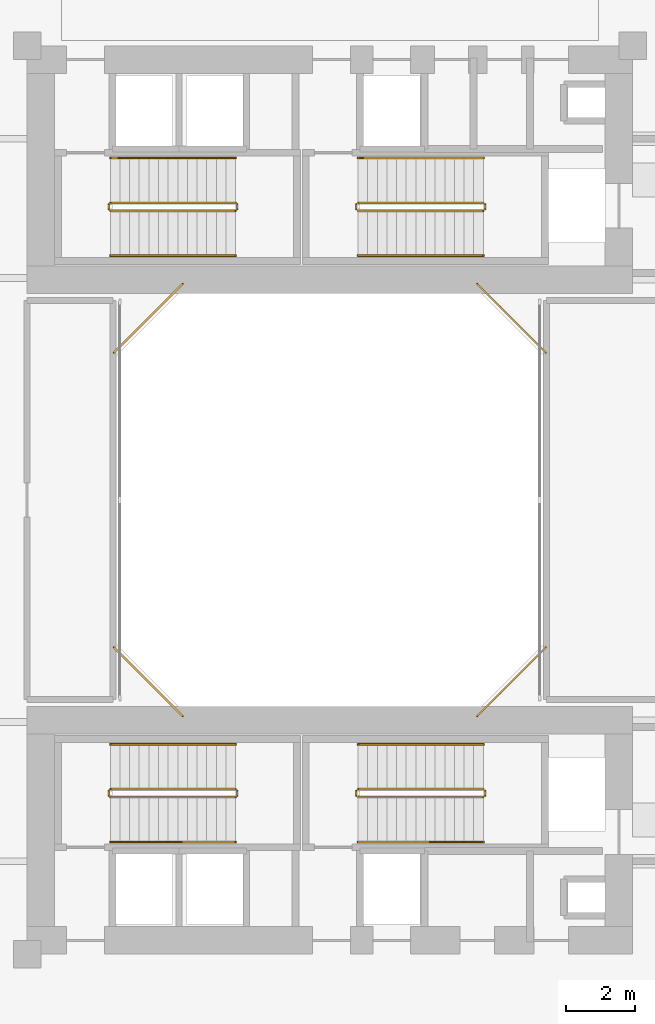
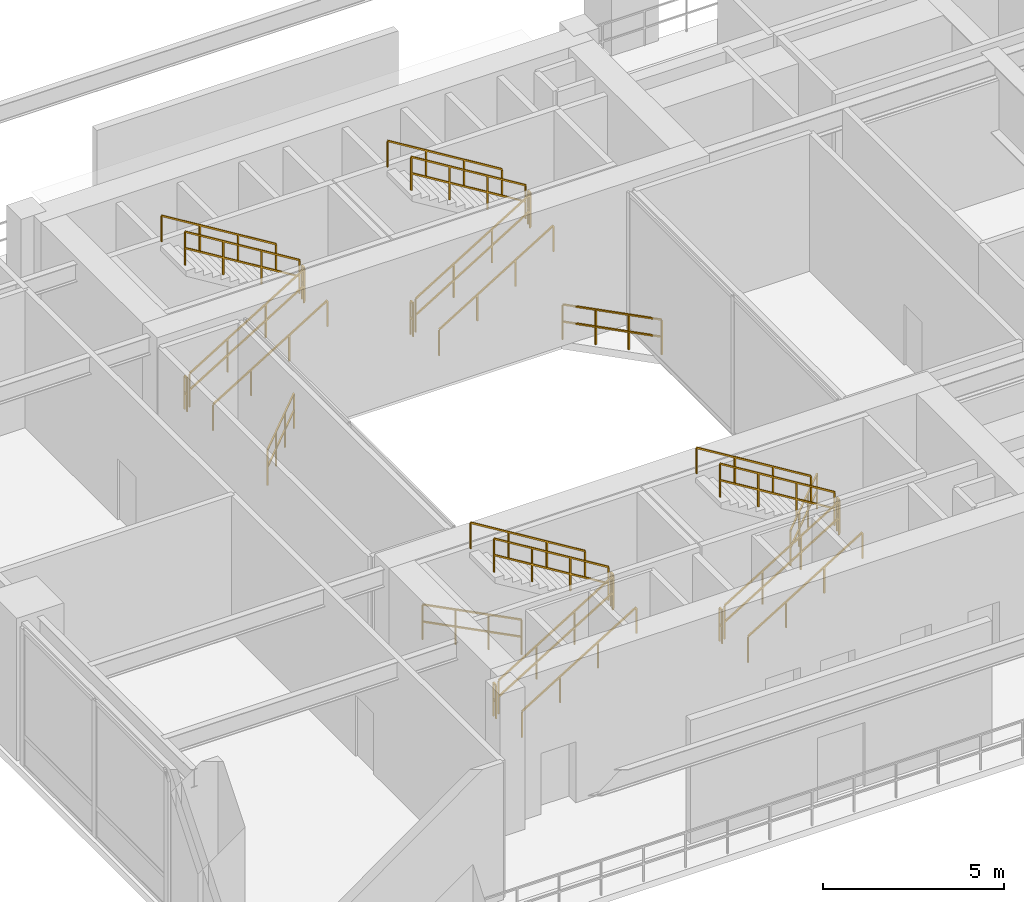
# One storey, part 16 of 19: 28 railings.
"""IFC4 building model written with IfcOpenShell, lengths in metres."""

import ifcopenshell
import ifcopenshell.guid

model = None  # the IFC model being written
_history = None  # IfcOwnerHistory: only IFC2X3 demands one
_inside = {}  # id of a spatial element -> (the spatial element, [elements in it])
_under = {}  # id of a project, library or spatial element -> (it, [spatial elements below it])
_declared = {}  # id of a project -> (the project, [libraries it declares])
_typed = {}  # id of a type object -> (the type object, [elements of that type])
_made_of = {}  # id of a material, layer set ... -> (it, [elements and type objects made of it])


def new_model(schema):
    """Start an empty IFC model of exactly this schema.

    Asked for "IFC4X3", IfcOpenShell would pick the latest addendum, in which some entities
    have other attributes; the version numbers below select the first issue.
    IFC2X3 requires an IfcOwnerHistory on every rooted entity: one is made here for all.
    """
    global model, _history
    if schema == "IFC4X3":
        model = ifcopenshell.file(schema_version=(4, 3, 0, 0))
    else:
        model = ifcopenshell.file(schema=schema)
    _inside.clear()
    _under.clear()
    _declared.clear()
    _typed.clear()
    _made_of.clear()
    _history = None
    if model.schema == "IFC2X3":
        org = make("IfcOrganization", Name="unknown")
        user = make(
            "IfcPersonAndOrganization",
            ThePerson=make("IfcPerson", FamilyName="unknown"),
            TheOrganization=org,
        )
        app = make(
            "IfcApplication",
            ApplicationDeveloper=org,
            Version="unknown",
            ApplicationFullName="unknown",
            ApplicationIdentifier="unknown",
        )
        _history = make(
            "IfcOwnerHistory",
            OwningUser=user,
            OwningApplication=app,
            ChangeAction="ADDED",
            CreationDate=0,
        )
    return model


def make(cls, **values):
    """One entity of the class cls with the attributes given. An attribute that is None is left unset."""
    return model.create_entity(
        cls, **{name: value for name, value in values.items() if value is not None}
    )


def rooted(cls, **values):
    """An entity with a GlobalId (a new one), such as an element, a storey or a relation."""
    return make(cls, GlobalId=ifcopenshell.guid.new(), OwnerHistory=_history, **values)


def si_unit(unit_type, name, prefix=None):
    """IfcSIUnit, for example si_unit("LENGTHUNIT", "METRE", prefix="MILLI")."""
    return make("IfcSIUnit", UnitType=unit_type, Prefix=prefix, Name=name)


def assignment(units):
    """IfcUnitAssignment: the units of a project."""
    return None if units is None else make("IfcUnitAssignment", Units=units)


def point(xyz):
    """IfcCartesianPoint."""
    return None if xyz is None else make("IfcCartesianPoint", Coordinates=xyz)


def direction(xyz):
    """IfcDirection."""
    return None if xyz is None else make("IfcDirection", DirectionRatios=xyz)


def frame(location, z_axis=None, x_axis=None):
    """IfcAxis2Placement3D, a coordinate frame: its origin and axes. An axis left out is left unset."""
    return make(
        "IfcAxis2Placement3D",
        Location=point(location),
        Axis=direction(z_axis),
        RefDirection=direction(x_axis),
    )


def frame_2d(location, x_axis=None):
    """IfcAxis2Placement2D, a coordinate frame in the plane: its origin and x axis."""
    return make(
        "IfcAxis2Placement2D", Location=point(location), RefDirection=direction(x_axis)
    )


def origin():
    """The frame at (0, 0, 0) with its axes left unset."""
    return frame((0.0, 0.0, 0.0))


def origin_2d():
    """The frame at (0, 0) in the plane with its x axis left unset."""
    return frame_2d((0.0, 0.0))


def place(relative_to, where):
    """IfcLocalPlacement: puts the frame where relative to a parent placement (None: the world)."""
    return make(
        "IfcLocalPlacement", PlacementRelTo=relative_to, RelativePlacement=where
    )


def context(
    kind, dimensions, precision=None, world=None, true_north=None, identifier=None
):
    """IfcGeometricRepresentationContext, for example the 3D "Model" context."""
    return make(
        "IfcGeometricRepresentationContext",
        ContextIdentifier=identifier,
        ContextType=kind,
        CoordinateSpaceDimension=dimensions,
        Precision=precision,
        WorldCoordinateSystem=world,
        TrueNorth=true_north,
    )


def subcontext(parent, identifier, kind, view, scale=None):
    """IfcGeometricRepresentationSubContext, for example "Body" below "Model"."""
    return make(
        "IfcGeometricRepresentationSubContext",
        ContextIdentifier=identifier,
        ContextType=kind,
        ParentContext=parent,
        TargetScale=scale,
        TargetView=view,
    )


def project(units=None, contexts=None):
    """IfcProject with its units and contexts."""
    return rooted(
        "IfcProject",
        Name="project",
        RepresentationContexts=contexts,
        UnitsInContext=assignment(units),
    )


def spatial(cls, under=None, at=None, **own):
    """A site, building, storey or space (cls), placed at a placement, below another one or the project."""
    s = rooted(cls, ObjectPlacement=at, **own)
    if under is not None:
        _under.setdefault(under.id(), (under, []))[1].append(s)
    return s


def profile(cls, at=None, kind="AREA", **sizes):
    """A parametric profile (cls). Its sizes go by their IFC names, for example OverallWidth=200.0."""
    return make(cls, ProfileType=kind, Position=at, **sizes)


def rectangle(**sizes):
    """IfcRectangleProfileDef."""
    return profile("IfcRectangleProfileDef", **sizes)


def extrude(swept, where, along, depth):
    """IfcExtrudedAreaSolid: the profile swept, set in the frame where, extruded along a direction by depth."""
    return make(
        "IfcExtrudedAreaSolid",
        SweptArea=swept,
        Position=where,
        ExtrudedDirection=direction(along),
        Depth=depth,
    )


def shape(context_of_items, identifier, shape_type, items):
    """IfcShapeRepresentation: the items that make up one representation, for example the "Body"."""
    return make(
        "IfcShapeRepresentation",
        ContextOfItems=context_of_items,
        RepresentationIdentifier=identifier,
        RepresentationType=shape_type,
        Items=items,
    )


def material(Name=None, Category=None):
    """IfcMaterial."""
    return make("IfcMaterial", Name=Name, Category=Category)


def made_of(thing, what):
    """Note that an element or type object is made of a material, layer set ...; save() writes the relation."""
    if what is not None:
        _made_of.setdefault(what.id(), (what, []))[1].append(thing)
    return thing


def type_object(cls, material=None, **own):
    """A type object (cls), such as IfcWallType, which elements share."""
    return made_of(rooted(cls, **own), material)


def element(
    cls,
    number,
    at=None,
    inside=None,
    cuts=None,
    type_object=None,
    material=None,
    context=None,
    identifier="Body",
    shape_type=None,
    held_by="IfcProductDefinitionShape",
    body=None,
    shapes=None,
    **own,
):
    """One element of the class cls, such as IfcWall. Its Tag is "e" and its number.

    at: its placement. inside: the storey or other place that contains it. cuts: it is an
    opening in that element (IfcRelVoidsElement). A single representation is given by context,
    identifier, shape_type and body (its items); several are given by shapes. held_by: the class
    of the entity that holds the representations. save() writes the other relations.
    """
    e = rooted(cls, Tag="e%d" % number, ObjectPlacement=at, **own)
    if body is not None:
        shapes = [shape(context, identifier, shape_type, body)]
    if shapes is not None:
        e.Representation = make(held_by, Representations=shapes)
    if inside is not None:
        _inside.setdefault(inside.id(), (inside, []))[1].append(e)
    if cuts is not None:
        rooted(
            "IfcRelVoidsElement", RelatingBuildingElement=cuts, RelatedOpeningElement=e
        )
    if type_object is not None:
        _typed.setdefault(type_object.id(), (type_object, []))[1].append(e)
    return made_of(e, material)


def aggregate(whole, parts):
    """IfcRelAggregates: a whole, such as a stair, and the parts it consists of."""
    return rooted("IfcRelAggregates", RelatingObject=whole, RelatedObjects=parts)


def save(model, path):
    """Write the relations noted so far, then the file.

    IfcRelAggregates (storeys below a building ...), IfcRelContainedInSpatialStructure (elements
    in a storey), IfcRelDefinesByType, IfcRelAssociatesMaterial and IfcRelDeclares: one each for
    every whole, place, type object, material and project.
    """
    for whole, parts in _under.values():
        aggregate(whole, parts)
    for where, things in _inside.values():
        rooted(
            "IfcRelContainedInSpatialStructure",
            RelatedElements=things,
            RelatingStructure=where,
        )
    for kind, things in _typed.values():
        rooted("IfcRelDefinesByType", RelatedObjects=things, RelatingType=kind)
    for what, things in _made_of.values():
        rooted("IfcRelAssociatesMaterial", RelatedObjects=things, RelatingMaterial=what)
    for by, libraries in _declared.values():
        rooted("IfcRelDeclares", RelatingContext=by, RelatedDefinitions=libraries)
    model.write(path)


model = new_model("IFC4")

# Units and contexts
model_context = context("Model", 3, precision=1e-05, world=origin(), true_north=direction((0.0, 1.0)))
body_context = subcontext(model_context, "Body", "Model", "MODEL_VIEW")
ifc_project = project(units=[si_unit("LENGTHUNIT", "METRE"), si_unit("AREAUNIT", "SQUARE_METRE"), si_unit("VOLUMEUNIT", "CUBIC_METRE"), si_unit("PLANEANGLEUNIT", "RADIAN"), si_unit("MASSUNIT", "GRAM", prefix="KILO"), si_unit("THERMODYNAMICTEMPERATUREUNIT", "KELVIN"), si_unit("POWERUNIT", "WATT")], contexts=[model_context])

# Site, building, storey
site_placement = place(None, origin())
site = spatial("IfcSite", under=ifc_project, at=site_placement, CompositionType="ELEMENT")
building_placement = place(site_placement, origin())
building = spatial("IfcBuilding", under=site, at=building_placement, Name="Qiaomeng Ring Towers", CompositionType="ELEMENT")
storey_placement = place(building_placement, frame((0.0, 0.0, 18.199951171875)))
storey = spatial("IfcBuildingStorey", under=building, at=storey_placement, Name="L04", CompositionType="ELEMENT", Elevation=18.199951171875)

# Railings
ifc_material_1 = material(Name="Low-E pale-green laminated safety glass", Category="glass")
railing_type_1 = type_object("IfcRailingType", Name="ARC-RL-BAL1", PredefinedType="BALUSTRADE", material=ifc_material_1)
railing_1_placement = place(storey_placement, frame((23.280029296875, 16.719970703125, 0.0)))
element("IfcRailing", 1, at=railing_1_placement, inside=storey, type_object=railing_type_1, Name="L04 Balustrade ARC-BAL-WELL1-L04-1", PredefinedType="BALUSTRADE", context=body_context, shape_type="SweptSolid", body=[
    extrude(rectangle(XDim=0.048095703125, YDim=0.048095703125, at=origin_2d()), frame((0.0, 0.0, 1.17578125), z_axis=(0.707106781187, 0.707106781187, 0.0), x_axis=(-0.707106781187, 0.707106781187, 0.0)), (0.0, 0.0, 1.0), 2.828369140625),
    extrude(rectangle(XDim=0.048095703125, YDim=0.048095703125, at=origin_2d()), frame((0.0, 0.0, 0.60009765625), z_axis=(0.707106781187, 0.707106781187, 0.0), x_axis=(-0.707106781187, 0.707106781187, 0.0)), (0.0, 0.0, 1.0), 2.828369140625),
    extrude(rectangle(XDim=0.0419921875, YDim=0.0419921875, at=origin_2d()), origin(), (0.0, 0.0, 1.0), 1.15185546875),
    extrude(rectangle(XDim=0.0419921875, YDim=0.0419921875, at=origin_2d()), frame((0.666748046875, 0.666748046875, 0.0)), (0.0, 0.0, 1.0), 1.15185546875),
    extrude(rectangle(XDim=0.0419921875, YDim=0.0419921875, at=origin_2d()), frame((1.333251953125, 1.333251953125, 0.0)), (0.0, 0.0, 1.0), 1.15185546875),
    extrude(rectangle(XDim=0.0419921875, YDim=0.0419921875, at=origin_2d()), frame((2.0, 2.0, 0.0)), (0.0, 0.0, 1.0), 1.15185546875),
])
railing_2_placement = place(storey_placement, frame((25.280029296875, 27.280029296875, 0.0)))
element("IfcRailing", 2, at=railing_2_placement, inside=storey, type_object=railing_type_1, Name="L04 Balustrade ARC-BAL-WELL1-L04-2", PredefinedType="BALUSTRADE", context=body_context, shape_type="SweptSolid", body=[
    extrude(rectangle(XDim=0.048095703125, YDim=0.048095703125, at=origin_2d()), frame((0.0, 0.0, 1.17578125), z_axis=(-0.707106781187, 0.707106781187, 0.0), x_axis=(-0.707106781187, -0.707106781187, 0.0)), (0.0, 0.0, 1.0), 2.828369140625),
    extrude(rectangle(XDim=0.048095703125, YDim=0.048095703125, at=origin_2d()), frame((0.0, 0.0, 0.60009765625), z_axis=(-0.707106781187, 0.707106781187, 0.0), x_axis=(-0.707106781187, -0.707106781187, 0.0)), (0.0, 0.0, 1.0), 2.828369140625),
    extrude(rectangle(XDim=0.0419921875, YDim=0.0419921875, at=origin_2d()), origin(), (0.0, 0.0, 1.0), 1.15185546875),
    extrude(rectangle(XDim=0.0419921875, YDim=0.0419921875, at=origin_2d()), frame((-0.666748046875, 0.666748046875, 0.0)), (0.0, 0.0, 1.0), 1.15185546875),
    extrude(rectangle(XDim=0.0419921875, YDim=0.0419921875, at=origin_2d()), frame((-1.333251953125, 1.333251953125, 0.0)), (0.0, 0.0, 1.0), 1.15185546875),
    extrude(rectangle(XDim=0.0419921875, YDim=0.0419921875, at=origin_2d()), frame((-2.0, 2.0, 0.0)), (0.0, 0.0, 1.0), 1.15185546875),
])
railing_3_placement = place(storey_placement, frame((14.719970703125, 29.280029296875, 0.0)))
element("IfcRailing", 3, at=railing_3_placement, inside=storey, type_object=railing_type_1, Name="L04 Balustrade ARC-BAL-WELL1-L04-3", PredefinedType="BALUSTRADE", context=body_context, shape_type="SweptSolid", body=[
    extrude(rectangle(XDim=0.048095703125, YDim=0.048095703125, at=origin_2d()), frame((0.0, 0.0, 1.17578125), z_axis=(-0.707106781187, -0.707106781187, 0.0), x_axis=(0.707106781187, -0.707106781187, 0.0)), (0.0, 0.0, 1.0), 2.828369140625),
    extrude(rectangle(XDim=0.048095703125, YDim=0.048095703125, at=origin_2d()), frame((0.0, 0.0, 0.60009765625), z_axis=(-0.707106781187, -0.707106781187, 0.0), x_axis=(0.707106781187, -0.707106781187, 0.0)), (0.0, 0.0, 1.0), 2.828369140625),
    extrude(rectangle(XDim=0.0419921875, YDim=0.0419921875, at=origin_2d()), origin(), (0.0, 0.0, 1.0), 1.15185546875),
    extrude(rectangle(XDim=0.0419921875, YDim=0.0419921875, at=origin_2d()), frame((-0.666748046875, -0.666748046875, 0.0)), (0.0, 0.0, 1.0), 1.15185546875),
    extrude(rectangle(XDim=0.0419921875, YDim=0.0419921875, at=origin_2d()), frame((-1.333251953125, -1.333251953125, 0.0)), (0.0, 0.0, 1.0), 1.15185546875),
    extrude(rectangle(XDim=0.0419921875, YDim=0.0419921875, at=origin_2d()), frame((-2.0, -2.0, 0.0)), (0.0, 0.0, 1.0), 1.15185546875),
])
railing_4_placement = place(storey_placement, frame((12.719970703125, 18.719970703125, 0.0)))
element("IfcRailing", 4, at=railing_4_placement, inside=storey, type_object=railing_type_1, Name="L04 Balustrade ARC-BAL-WELL1-L04-4", PredefinedType="BALUSTRADE", context=body_context, shape_type="SweptSolid", body=[
    extrude(rectangle(XDim=0.048095703125, YDim=0.048095703125, at=origin_2d()), frame((0.0, 0.0, 1.17578125), z_axis=(0.707106781187, -0.707106781187, 0.0), x_axis=(0.707106781187, 0.707106781187, 0.0)), (0.0, 0.0, 1.0), 2.828369140625),
    extrude(rectangle(XDim=0.048095703125, YDim=0.048095703125, at=origin_2d()), frame((0.0, 0.0, 0.60009765625), z_axis=(0.707106781187, -0.707106781187, 0.0), x_axis=(0.707106781187, 0.707106781187, 0.0)), (0.0, 0.0, 1.0), 2.828369140625),
    extrude(rectangle(XDim=0.0419921875, YDim=0.0419921875, at=origin_2d()), origin(), (0.0, 0.0, 1.0), 1.15185546875),
    extrude(rectangle(XDim=0.0419921875, YDim=0.0419921875, at=origin_2d()), frame((0.666748046875, -0.666748046875, 0.0)), (0.0, 0.0, 1.0), 1.15185546875),
    extrude(rectangle(XDim=0.0419921875, YDim=0.0419921875, at=origin_2d()), frame((1.333251953125, -1.333251953125, 0.0)), (0.0, 0.0, 1.0), 1.15185546875),
    extrude(rectangle(XDim=0.0419921875, YDim=0.0419921875, at=origin_2d()), frame((2.0, -2.0, 0.0)), (0.0, 0.0, 1.0), 1.15185546875),
])
ifc_material_2 = material(Name="Galvanised steel", Category="steel")
railing_type_2 = type_object("IfcRailingType", Name="ARC-RL-GUARD", PredefinedType="GUARDRAIL", material=ifc_material_2)
railing_5_placement = place(storey_placement, frame((12.6201171875, 31.39990234375, 0.17138671875)))
element("IfcRailing", 5, at=railing_5_placement, inside=storey, type_object=railing_type_2, Name="L04 ST1 stair guard 1", PredefinedType="GUARDRAIL", context=body_context, shape_type="SweptSolid", body=[
    extrude(rectangle(XDim=0.048095703125, YDim=0.048095703125, at=origin_2d()), frame((0.0, 0.0, 1.1259765625), z_axis=(0.852824790078, 0.0, 0.522197163366), x_axis=(0.0, 1.0, 0.0)), (0.0, 0.0, 1.0), 4.26806640625),
    extrude(rectangle(XDim=0.048095703125, YDim=0.048095703125, at=origin_2d()), frame((0.0, 0.0, 0.574951171875), z_axis=(0.852824790078, 0.0, 0.522197163366), x_axis=(0.0, 1.0, 0.0)), (0.0, 0.0, 1.0), 4.26806640625),
    extrude(rectangle(XDim=0.0419921875, YDim=0.0419921875, at=origin_2d()), origin(), (0.0, 0.0, 1.0), 1.101806640625),
    extrude(rectangle(XDim=0.0419921875, YDim=0.0419921875, at=origin_2d()), frame((1.21337890625, 0.0, 0.742919921875)), (0.0, 0.0, 1.0), 1.101806640625),
    extrude(rectangle(XDim=0.0419921875, YDim=0.0419921875, at=origin_2d()), frame((2.426513671875, 0.0, 1.48583984375)), (0.0, 0.0, 1.0), 1.101806640625),
    extrude(rectangle(XDim=0.0419921875, YDim=0.0419921875, at=origin_2d()), frame((3.639892578125, 0.0, 2.228759765625)), (0.0, 0.0, 1.0), 1.101806640625),
])
railing_6_placement = place(storey_placement, frame((16.31005859375, 31.449951171875, 2.400146484375)))
element("IfcRailing", 6, at=railing_6_placement, inside=storey, type_object=railing_type_2, Name="L04 ST1 stair guard 2", PredefinedType="GUARDRAIL", context=body_context, shape_type="SweptSolid", body=[
    extrude(rectangle(XDim=0.048095703125, YDim=0.048095703125, at=origin_2d()), frame((0.0, 0.0, 1.1259765625), z_axis=(0.0, 1.0, 0.0), x_axis=(-1.0, 0.0, 0.0)), (0.0, 0.0, 1.0), 0.14013671875),
    extrude(rectangle(XDim=0.048095703125, YDim=0.048095703125, at=origin_2d()), frame((0.0, 0.0, 0.574951171875), z_axis=(0.0, 1.0, 0.0), x_axis=(-1.0, 0.0, 0.0)), (0.0, 0.0, 1.0), 0.14013671875),
    extrude(rectangle(XDim=0.0419921875, YDim=0.0419921875, at=origin_2d()), origin(), (0.0, 0.0, 1.0), 1.101806640625),
    extrude(rectangle(XDim=0.0419921875, YDim=0.0419921875, at=origin_2d()), frame((0.0, 0.14013671875, 0.0)), (0.0, 0.0, 1.0), 1.101806640625),
])
railing_7_placement = place(storey_placement, frame((16.260009765625, 31.639892578125, 2.571533203125)))
element("IfcRailing", 7, at=railing_7_placement, inside=storey, type_object=railing_type_2, Name="L04 ST1 stair guard 3", PredefinedType="GUARDRAIL", context=body_context, shape_type="SweptSolid", body=[
    extrude(rectangle(XDim=0.048095703125, YDim=0.048095703125, at=origin_2d()), frame((0.0, 0.0, 1.1259765625), z_axis=(-0.852850264322, 0.0, 0.5221555579), x_axis=(0.0, -1.0, 0.0)), (0.0, 0.0, 1.0), 4.267822265625),
    extrude(rectangle(XDim=0.048095703125, YDim=0.048095703125, at=origin_2d()), frame((0.0, 0.0, 0.574951171875), z_axis=(-0.852850264322, 0.0, 0.5221555579), x_axis=(0.0, -1.0, 0.0)), (0.0, 0.0, 1.0), 4.267822265625),
    extrude(rectangle(XDim=0.0419921875, YDim=0.0419921875, at=origin_2d()), origin(), (0.0, 0.0, 1.0), 1.101806640625),
    extrude(rectangle(XDim=0.0419921875, YDim=0.0419921875, at=origin_2d()), frame((-1.21337890625, 0.0, 0.742919921875)), (0.0, 0.0, 1.0), 1.101806640625),
    extrude(rectangle(XDim=0.0419921875, YDim=0.0419921875, at=origin_2d()), frame((-2.426513671875, 0.0, 1.485595703125)), (0.0, 0.0, 1.0), 1.101806640625),
    extrude(rectangle(XDim=0.0419921875, YDim=0.0419921875, at=origin_2d()), frame((-3.639892578125, 0.0, 2.228515625)), (0.0, 0.0, 1.0), 1.101806640625),
])
railing_8_placement = place(storey_placement, frame((12.570068359375, 31.449951171875, 0.0)))
element("IfcRailing", 8, at=railing_8_placement, inside=storey, type_object=railing_type_2, Name="L04 ST1 stair guard 4", PredefinedType="GUARDRAIL", context=body_context, shape_type="SweptSolid", body=[
    extrude(rectangle(XDim=0.048095703125, YDim=0.048095703125, at=origin_2d()), frame((0.0, 0.0, 1.1259765625), z_axis=(0.0, 1.0, 0.0), x_axis=(-1.0, 0.0, 0.0)), (0.0, 0.0, 1.0), 0.14013671875),
    extrude(rectangle(XDim=0.048095703125, YDim=0.048095703125, at=origin_2d()), frame((0.0, 0.0, 0.574951171875), z_axis=(0.0, 1.0, 0.0), x_axis=(-1.0, 0.0, 0.0)), (0.0, 0.0, 1.0), 0.14013671875),
    extrude(rectangle(XDim=0.0419921875, YDim=0.0419921875, at=origin_2d()), origin(), (0.0, 0.0, 1.0), 1.101806640625),
    extrude(rectangle(XDim=0.0419921875, YDim=0.0419921875, at=origin_2d()), frame((0.0, 0.14013671875, 0.0)), (0.0, 0.0, 1.0), 1.101806640625),
])
railing_9_placement = place(storey_placement, frame((19.820068359375, 31.39990234375, 0.17138671875)))
element("IfcRailing", 9, at=railing_9_placement, inside=storey, type_object=railing_type_2, Name="L04 ST2 stair guard 1", PredefinedType="GUARDRAIL", context=body_context, shape_type="SweptSolid", body=[
    extrude(rectangle(XDim=0.048095703125, YDim=0.048095703125, at=origin_2d()), frame((0.0, 0.0, 1.1259765625), z_axis=(0.852824790078, 0.0, 0.522197163366), x_axis=(0.0, 1.0, 0.0)), (0.0, 0.0, 1.0), 4.26806640625),
    extrude(rectangle(XDim=0.048095703125, YDim=0.048095703125, at=origin_2d()), frame((0.0, 0.0, 0.574951171875), z_axis=(0.852824790078, 0.0, 0.522197163366), x_axis=(0.0, 1.0, 0.0)), (0.0, 0.0, 1.0), 4.26806640625),
    extrude(rectangle(XDim=0.0419921875, YDim=0.0419921875, at=origin_2d()), origin(), (0.0, 0.0, 1.0), 1.101806640625),
    extrude(rectangle(XDim=0.0419921875, YDim=0.0419921875, at=origin_2d()), frame((1.21337890625, 0.0, 0.742919921875)), (0.0, 0.0, 1.0), 1.101806640625),
    extrude(rectangle(XDim=0.0419921875, YDim=0.0419921875, at=origin_2d()), frame((2.426513671875, 0.0, 1.48583984375)), (0.0, 0.0, 1.0), 1.101806640625),
    extrude(rectangle(XDim=0.0419921875, YDim=0.0419921875, at=origin_2d()), frame((3.639892578125, 0.0, 2.228759765625)), (0.0, 0.0, 1.0), 1.101806640625),
])
railing_10_placement = place(storey_placement, frame((23.510009765625, 31.449951171875, 2.400146484375)))
element("IfcRailing", 10, at=railing_10_placement, inside=storey, type_object=railing_type_2, Name="L04 ST2 stair guard 2", PredefinedType="GUARDRAIL", context=body_context, shape_type="SweptSolid", body=[
    extrude(rectangle(XDim=0.048095703125, YDim=0.048095703125, at=origin_2d()), frame((0.0, 0.0, 1.1259765625), z_axis=(0.0, 1.0, 0.0), x_axis=(-1.0, 0.0, 0.0)), (0.0, 0.0, 1.0), 0.14013671875),
    extrude(rectangle(XDim=0.048095703125, YDim=0.048095703125, at=origin_2d()), frame((0.0, 0.0, 0.574951171875), z_axis=(0.0, 1.0, 0.0), x_axis=(-1.0, 0.0, 0.0)), (0.0, 0.0, 1.0), 0.14013671875),
    extrude(rectangle(XDim=0.0419921875, YDim=0.0419921875, at=origin_2d()), origin(), (0.0, 0.0, 1.0), 1.101806640625),
    extrude(rectangle(XDim=0.0419921875, YDim=0.0419921875, at=origin_2d()), frame((0.0, 0.14013671875, 0.0)), (0.0, 0.0, 1.0), 1.101806640625),
])
railing_11_placement = place(storey_placement, frame((23.4599609375, 31.639892578125, 2.571533203125)))
element("IfcRailing", 11, at=railing_11_placement, inside=storey, type_object=railing_type_2, Name="L04 ST2 stair guard 3", PredefinedType="GUARDRAIL", context=body_context, shape_type="SweptSolid", body=[
    extrude(rectangle(XDim=0.048095703125, YDim=0.048095703125, at=origin_2d()), frame((0.0, 0.0, 1.1259765625), z_axis=(-0.852850264322, 0.0, 0.5221555579), x_axis=(0.0, -1.0, 0.0)), (0.0, 0.0, 1.0), 4.267822265625),
    extrude(rectangle(XDim=0.048095703125, YDim=0.048095703125, at=origin_2d()), frame((0.0, 0.0, 0.574951171875), z_axis=(-0.852850264322, 0.0, 0.5221555579), x_axis=(0.0, -1.0, 0.0)), (0.0, 0.0, 1.0), 4.267822265625),
    extrude(rectangle(XDim=0.0419921875, YDim=0.0419921875, at=origin_2d()), origin(), (0.0, 0.0, 1.0), 1.101806640625),
    extrude(rectangle(XDim=0.0419921875, YDim=0.0419921875, at=origin_2d()), frame((-1.21337890625, 0.0, 0.742919921875)), (0.0, 0.0, 1.0), 1.101806640625),
    extrude(rectangle(XDim=0.0419921875, YDim=0.0419921875, at=origin_2d()), frame((-2.426513671875, 0.0, 1.485595703125)), (0.0, 0.0, 1.0), 1.101806640625),
    extrude(rectangle(XDim=0.0419921875, YDim=0.0419921875, at=origin_2d()), frame((-3.639892578125, 0.0, 2.228515625)), (0.0, 0.0, 1.0), 1.101806640625),
])
railing_12_placement = place(storey_placement, frame((19.77001953125, 31.449951171875, 0.0)))
element("IfcRailing", 12, at=railing_12_placement, inside=storey, type_object=railing_type_2, Name="L04 ST2 stair guard 4", PredefinedType="GUARDRAIL", context=body_context, shape_type="SweptSolid", body=[
    extrude(rectangle(XDim=0.048095703125, YDim=0.048095703125, at=origin_2d()), frame((0.0, 0.0, 1.1259765625), z_axis=(0.0, 1.0, 0.0), x_axis=(-1.0, 0.0, 0.0)), (0.0, 0.0, 1.0), 0.14013671875),
    extrude(rectangle(XDim=0.048095703125, YDim=0.048095703125, at=origin_2d()), frame((0.0, 0.0, 0.574951171875), z_axis=(0.0, 1.0, 0.0), x_axis=(-1.0, 0.0, 0.0)), (0.0, 0.0, 1.0), 0.14013671875),
    extrude(rectangle(XDim=0.0419921875, YDim=0.0419921875, at=origin_2d()), origin(), (0.0, 0.0, 1.0), 1.101806640625),
    extrude(rectangle(XDim=0.0419921875, YDim=0.0419921875, at=origin_2d()), frame((0.0, 0.14013671875, 0.0)), (0.0, 0.0, 1.0), 1.101806640625),
])
railing_13_placement = place(storey_placement, frame((12.6201171875, 14.360107421875, 0.17138671875)))
element("IfcRailing", 13, at=railing_13_placement, inside=storey, type_object=railing_type_2, Name="L04 ST3 stair guard 1", PredefinedType="GUARDRAIL", context=body_context, shape_type="SweptSolid", body=[
    extrude(rectangle(XDim=0.048095703125, YDim=0.048095703125, at=origin_2d()), frame((0.0, 0.0, 1.1259765625), z_axis=(0.852824790078, 0.0, 0.522197163366), x_axis=(0.0, 1.0, 0.0)), (0.0, 0.0, 1.0), 4.26806640625),
    extrude(rectangle(XDim=0.048095703125, YDim=0.048095703125, at=origin_2d()), frame((0.0, 0.0, 0.574951171875), z_axis=(0.852824790078, 0.0, 0.522197163366), x_axis=(0.0, 1.0, 0.0)), (0.0, 0.0, 1.0), 4.26806640625),
    extrude(rectangle(XDim=0.0419921875, YDim=0.0419921875, at=origin_2d()), origin(), (0.0, 0.0, 1.0), 1.101806640625),
    extrude(rectangle(XDim=0.0419921875, YDim=0.0419921875, at=origin_2d()), frame((1.21337890625, 0.0, 0.742919921875)), (0.0, 0.0, 1.0), 1.101806640625),
    extrude(rectangle(XDim=0.0419921875, YDim=0.0419921875, at=origin_2d()), frame((2.426513671875, 0.0, 1.48583984375)), (0.0, 0.0, 1.0), 1.101806640625),
    extrude(rectangle(XDim=0.0419921875, YDim=0.0419921875, at=origin_2d()), frame((3.639892578125, 0.0, 2.228759765625)), (0.0, 0.0, 1.0), 1.101806640625),
])
railing_14_placement = place(storey_placement, frame((16.31005859375, 14.409912109375, 2.400146484375)))
element("IfcRailing", 14, at=railing_14_placement, inside=storey, type_object=railing_type_2, Name="L04 ST3 stair guard 2", PredefinedType="GUARDRAIL", context=body_context, shape_type="SweptSolid", body=[
    extrude(rectangle(XDim=0.048095703125, YDim=0.048095703125, at=origin_2d()), frame((0.0, 0.0, 1.1259765625), z_axis=(0.0, 1.0, 0.0), x_axis=(-1.0, 0.0, 0.0)), (0.0, 0.0, 1.0), 0.14013671875),
    extrude(rectangle(XDim=0.048095703125, YDim=0.048095703125, at=origin_2d()), frame((0.0, 0.0, 0.574951171875), z_axis=(0.0, 1.0, 0.0), x_axis=(-1.0, 0.0, 0.0)), (0.0, 0.0, 1.0), 0.14013671875),
    extrude(rectangle(XDim=0.0419921875, YDim=0.0419921875, at=origin_2d()), origin(), (0.0, 0.0, 1.0), 1.101806640625),
    extrude(rectangle(XDim=0.0419921875, YDim=0.0419921875, at=origin_2d()), frame((0.0, 0.14013671875, 0.0)), (0.0, 0.0, 1.0), 1.101806640625),
])
railing_15_placement = place(storey_placement, frame((16.260009765625, 14.60009765625, 2.571533203125)))
element("IfcRailing", 15, at=railing_15_placement, inside=storey, type_object=railing_type_2, Name="L04 ST3 stair guard 3", PredefinedType="GUARDRAIL", context=body_context, shape_type="SweptSolid", body=[
    extrude(rectangle(XDim=0.048095703125, YDim=0.048095703125, at=origin_2d()), frame((0.0, 0.0, 1.1259765625), z_axis=(-0.852850264322, 0.0, 0.5221555579), x_axis=(0.0, -1.0, 0.0)), (0.0, 0.0, 1.0), 4.267822265625),
    extrude(rectangle(XDim=0.048095703125, YDim=0.048095703125, at=origin_2d()), frame((0.0, 0.0, 0.574951171875), z_axis=(-0.852850264322, 0.0, 0.5221555579), x_axis=(0.0, -1.0, 0.0)), (0.0, 0.0, 1.0), 4.267822265625),
    extrude(rectangle(XDim=0.0419921875, YDim=0.0419921875, at=origin_2d()), origin(), (0.0, 0.0, 1.0), 1.101806640625),
    extrude(rectangle(XDim=0.0419921875, YDim=0.0419921875, at=origin_2d()), frame((-1.21337890625, 0.0, 0.742919921875)), (0.0, 0.0, 1.0), 1.101806640625),
    extrude(rectangle(XDim=0.0419921875, YDim=0.0419921875, at=origin_2d()), frame((-2.426513671875, 0.0, 1.485595703125)), (0.0, 0.0, 1.0), 1.101806640625),
    extrude(rectangle(XDim=0.0419921875, YDim=0.0419921875, at=origin_2d()), frame((-3.639892578125, 0.0, 2.228515625)), (0.0, 0.0, 1.0), 1.101806640625),
])
railing_16_placement = place(storey_placement, frame((12.570068359375, 14.409912109375, 0.0)))
element("IfcRailing", 16, at=railing_16_placement, inside=storey, type_object=railing_type_2, Name="L04 ST3 stair guard 4", PredefinedType="GUARDRAIL", context=body_context, shape_type="SweptSolid", body=[
    extrude(rectangle(XDim=0.048095703125, YDim=0.048095703125, at=origin_2d()), frame((0.0, 0.0, 1.1259765625), z_axis=(0.0, 1.0, 0.0), x_axis=(-1.0, 0.0, 0.0)), (0.0, 0.0, 1.0), 0.14013671875),
    extrude(rectangle(XDim=0.048095703125, YDim=0.048095703125, at=origin_2d()), frame((0.0, 0.0, 0.574951171875), z_axis=(0.0, 1.0, 0.0), x_axis=(-1.0, 0.0, 0.0)), (0.0, 0.0, 1.0), 0.14013671875),
    extrude(rectangle(XDim=0.0419921875, YDim=0.0419921875, at=origin_2d()), origin(), (0.0, 0.0, 1.0), 1.101806640625),
    extrude(rectangle(XDim=0.0419921875, YDim=0.0419921875, at=origin_2d()), frame((0.0, 0.14013671875, 0.0)), (0.0, 0.0, 1.0), 1.101806640625),
])
railing_17_placement = place(storey_placement, frame((19.820068359375, 14.360107421875, 0.17138671875)))
element("IfcRailing", 17, at=railing_17_placement, inside=storey, type_object=railing_type_2, Name="L04 ST4 stair guard 1", PredefinedType="GUARDRAIL", context=body_context, shape_type="SweptSolid", body=[
    extrude(rectangle(XDim=0.048095703125, YDim=0.048095703125, at=origin_2d()), frame((0.0, 0.0, 1.1259765625), z_axis=(0.852824790078, 0.0, 0.522197163366), x_axis=(0.0, 1.0, 0.0)), (0.0, 0.0, 1.0), 4.26806640625),
    extrude(rectangle(XDim=0.048095703125, YDim=0.048095703125, at=origin_2d()), frame((0.0, 0.0, 0.574951171875), z_axis=(0.852824790078, 0.0, 0.522197163366), x_axis=(0.0, 1.0, 0.0)), (0.0, 0.0, 1.0), 4.26806640625),
    extrude(rectangle(XDim=0.0419921875, YDim=0.0419921875, at=origin_2d()), origin(), (0.0, 0.0, 1.0), 1.101806640625),
    extrude(rectangle(XDim=0.0419921875, YDim=0.0419921875, at=origin_2d()), frame((1.21337890625, 0.0, 0.742919921875)), (0.0, 0.0, 1.0), 1.101806640625),
    extrude(rectangle(XDim=0.0419921875, YDim=0.0419921875, at=origin_2d()), frame((2.426513671875, 0.0, 1.48583984375)), (0.0, 0.0, 1.0), 1.101806640625),
    extrude(rectangle(XDim=0.0419921875, YDim=0.0419921875, at=origin_2d()), frame((3.639892578125, 0.0, 2.228759765625)), (0.0, 0.0, 1.0), 1.101806640625),
])
railing_18_placement = place(storey_placement, frame((23.510009765625, 14.409912109375, 2.400146484375)))
element("IfcRailing", 18, at=railing_18_placement, inside=storey, type_object=railing_type_2, Name="L04 ST4 stair guard 2", PredefinedType="GUARDRAIL", context=body_context, shape_type="SweptSolid", body=[
    extrude(rectangle(XDim=0.048095703125, YDim=0.048095703125, at=origin_2d()), frame((0.0, 0.0, 1.1259765625), z_axis=(0.0, 1.0, 0.0), x_axis=(-1.0, 0.0, 0.0)), (0.0, 0.0, 1.0), 0.14013671875),
    extrude(rectangle(XDim=0.048095703125, YDim=0.048095703125, at=origin_2d()), frame((0.0, 0.0, 0.574951171875), z_axis=(0.0, 1.0, 0.0), x_axis=(-1.0, 0.0, 0.0)), (0.0, 0.0, 1.0), 0.14013671875),
    extrude(rectangle(XDim=0.0419921875, YDim=0.0419921875, at=origin_2d()), origin(), (0.0, 0.0, 1.0), 1.101806640625),
    extrude(rectangle(XDim=0.0419921875, YDim=0.0419921875, at=origin_2d()), frame((0.0, 0.14013671875, 0.0)), (0.0, 0.0, 1.0), 1.101806640625),
])
railing_19_placement = place(storey_placement, frame((23.4599609375, 14.60009765625, 2.571533203125)))
element("IfcRailing", 19, at=railing_19_placement, inside=storey, type_object=railing_type_2, Name="L04 ST4 stair guard 3", PredefinedType="GUARDRAIL", context=body_context, shape_type="SweptSolid", body=[
    extrude(rectangle(XDim=0.048095703125, YDim=0.048095703125, at=origin_2d()), frame((0.0, 0.0, 1.1259765625), z_axis=(-0.852850264322, 0.0, 0.5221555579), x_axis=(0.0, -1.0, 0.0)), (0.0, 0.0, 1.0), 4.267822265625),
    extrude(rectangle(XDim=0.048095703125, YDim=0.048095703125, at=origin_2d()), frame((0.0, 0.0, 0.574951171875), z_axis=(-0.852850264322, 0.0, 0.5221555579), x_axis=(0.0, -1.0, 0.0)), (0.0, 0.0, 1.0), 4.267822265625),
    extrude(rectangle(XDim=0.0419921875, YDim=0.0419921875, at=origin_2d()), origin(), (0.0, 0.0, 1.0), 1.101806640625),
    extrude(rectangle(XDim=0.0419921875, YDim=0.0419921875, at=origin_2d()), frame((-1.21337890625, 0.0, 0.742919921875)), (0.0, 0.0, 1.0), 1.101806640625),
    extrude(rectangle(XDim=0.0419921875, YDim=0.0419921875, at=origin_2d()), frame((-2.426513671875, 0.0, 1.485595703125)), (0.0, 0.0, 1.0), 1.101806640625),
    extrude(rectangle(XDim=0.0419921875, YDim=0.0419921875, at=origin_2d()), frame((-3.639892578125, 0.0, 2.228515625)), (0.0, 0.0, 1.0), 1.101806640625),
])
railing_20_placement = place(storey_placement, frame((19.77001953125, 14.409912109375, 0.0)))
element("IfcRailing", 20, at=railing_20_placement, inside=storey, type_object=railing_type_2, Name="L04 ST4 stair guard 4", PredefinedType="GUARDRAIL", context=body_context, shape_type="SweptSolid", body=[
    extrude(rectangle(XDim=0.048095703125, YDim=0.048095703125, at=origin_2d()), frame((0.0, 0.0, 1.1259765625), z_axis=(0.0, 1.0, 0.0), x_axis=(-1.0, 0.0, 0.0)), (0.0, 0.0, 1.0), 0.14013671875),
    extrude(rectangle(XDim=0.048095703125, YDim=0.048095703125, at=origin_2d()), frame((0.0, 0.0, 0.574951171875), z_axis=(0.0, 1.0, 0.0), x_axis=(-1.0, 0.0, 0.0)), (0.0, 0.0, 1.0), 0.14013671875),
    extrude(rectangle(XDim=0.0419921875, YDim=0.0419921875, at=origin_2d()), origin(), (0.0, 0.0, 1.0), 1.101806640625),
    extrude(rectangle(XDim=0.0419921875, YDim=0.0419921875, at=origin_2d()), frame((0.0, 0.14013671875, 0.0)), (0.0, 0.0, 1.0), 1.101806640625),
])
ifc_material_3 = material(Name="Stainless steel 316", Category="steel")
railing_type_3 = type_object("IfcRailingType", Name="ARC-RL-HAND", PredefinedType="HANDRAIL", material=ifc_material_3)
railing_21_placement = place(storey_placement, frame((12.6201171875, 30.10009765625, 0.17138671875)))
element("IfcRailing", 21, at=railing_21_placement, inside=storey, type_object=railing_type_3, Name="L04 ST1 stair handrail 1", PredefinedType="HANDRAIL", context=body_context, shape_type="SweptSolid", body=[
    extrude(rectangle(XDim=0.048095703125, YDim=0.048095703125, at=origin_2d()), frame((0.0, 0.0, 0.8759765625), z_axis=(0.852824790078, 0.0, 0.522197163366), x_axis=(0.0, 1.0, 0.0)), (0.0, 0.0, 1.0), 4.26806640625),
    extrude(rectangle(XDim=0.0419921875, YDim=0.0419921875, at=origin_2d()), origin(), (0.0, 0.0, 1.0), 0.851806640625),
    extrude(rectangle(XDim=0.0419921875, YDim=0.0419921875, at=origin_2d()), frame((1.21337890625, 0.0, 0.742919921875)), (0.0, 0.0, 1.0), 0.851806640625),
    extrude(rectangle(XDim=0.0419921875, YDim=0.0419921875, at=origin_2d()), frame((2.426513671875, 0.0, 1.48583984375)), (0.0, 0.0, 1.0), 0.851806640625),
    extrude(rectangle(XDim=0.0419921875, YDim=0.0419921875, at=origin_2d()), frame((3.639892578125, 0.0, 2.228759765625)), (0.0, 0.0, 1.0), 0.851806640625),
])
railing_22_placement = place(storey_placement, frame((16.260009765625, 32.93994140625, 2.571533203125)))
element("IfcRailing", 22, at=railing_22_placement, inside=storey, type_object=railing_type_3, Name="L04 ST1 stair handrail 2", PredefinedType="HANDRAIL", context=body_context, shape_type="SweptSolid", body=[
    extrude(rectangle(XDim=0.048095703125, YDim=0.048095703125, at=origin_2d()), frame((0.0, 0.0, 0.8759765625), z_axis=(-0.852850264322, 0.0, 0.5221555579), x_axis=(0.0, -1.0, 0.0)), (0.0, 0.0, 1.0), 4.267822265625),
    extrude(rectangle(XDim=0.0419921875, YDim=0.0419921875, at=origin_2d()), origin(), (0.0, 0.0, 1.0), 0.851806640625),
    extrude(rectangle(XDim=0.0419921875, YDim=0.0419921875, at=origin_2d()), frame((-1.21337890625, 0.0, 0.742919921875)), (0.0, 0.0, 1.0), 0.851806640625),
    extrude(rectangle(XDim=0.0419921875, YDim=0.0419921875, at=origin_2d()), frame((-2.426513671875, 0.0, 1.485595703125)), (0.0, 0.0, 1.0), 0.851806640625),
    extrude(rectangle(XDim=0.0419921875, YDim=0.0419921875, at=origin_2d()), frame((-3.639892578125, 0.0, 2.228515625)), (0.0, 0.0, 1.0), 0.851806640625),
])
railing_23_placement = place(storey_placement, frame((19.820068359375, 30.10009765625, 0.17138671875)))
element("IfcRailing", 23, at=railing_23_placement, inside=storey, type_object=railing_type_3, Name="L04 ST2 stair handrail 1", PredefinedType="HANDRAIL", context=body_context, shape_type="SweptSolid", body=[
    extrude(rectangle(XDim=0.048095703125, YDim=0.048095703125, at=origin_2d()), frame((0.0, 0.0, 0.8759765625), z_axis=(0.852824790078, 0.0, 0.522197163366), x_axis=(0.0, 1.0, 0.0)), (0.0, 0.0, 1.0), 4.26806640625),
    extrude(rectangle(XDim=0.0419921875, YDim=0.0419921875, at=origin_2d()), origin(), (0.0, 0.0, 1.0), 0.851806640625),
    extrude(rectangle(XDim=0.0419921875, YDim=0.0419921875, at=origin_2d()), frame((1.21337890625, 0.0, 0.742919921875)), (0.0, 0.0, 1.0), 0.851806640625),
    extrude(rectangle(XDim=0.0419921875, YDim=0.0419921875, at=origin_2d()), frame((2.426513671875, 0.0, 1.48583984375)), (0.0, 0.0, 1.0), 0.851806640625),
    extrude(rectangle(XDim=0.0419921875, YDim=0.0419921875, at=origin_2d()), frame((3.639892578125, 0.0, 2.228759765625)), (0.0, 0.0, 1.0), 0.851806640625),
])
railing_24_placement = place(storey_placement, frame((23.4599609375, 32.93994140625, 2.571533203125)))
element("IfcRailing", 24, at=railing_24_placement, inside=storey, type_object=railing_type_3, Name="L04 ST2 stair handrail 2", PredefinedType="HANDRAIL", context=body_context, shape_type="SweptSolid", body=[
    extrude(rectangle(XDim=0.048095703125, YDim=0.048095703125, at=origin_2d()), frame((0.0, 0.0, 0.8759765625), z_axis=(-0.852850264322, 0.0, 0.5221555579), x_axis=(0.0, -1.0, 0.0)), (0.0, 0.0, 1.0), 4.267822265625),
    extrude(rectangle(XDim=0.0419921875, YDim=0.0419921875, at=origin_2d()), origin(), (0.0, 0.0, 1.0), 0.851806640625),
    extrude(rectangle(XDim=0.0419921875, YDim=0.0419921875, at=origin_2d()), frame((-1.21337890625, 0.0, 0.742919921875)), (0.0, 0.0, 1.0), 0.851806640625),
    extrude(rectangle(XDim=0.0419921875, YDim=0.0419921875, at=origin_2d()), frame((-2.426513671875, 0.0, 1.485595703125)), (0.0, 0.0, 1.0), 0.851806640625),
    extrude(rectangle(XDim=0.0419921875, YDim=0.0419921875, at=origin_2d()), frame((-3.639892578125, 0.0, 2.228515625)), (0.0, 0.0, 1.0), 0.851806640625),
])
railing_25_placement = place(storey_placement, frame((12.6201171875, 13.06005859375, 0.17138671875)))
element("IfcRailing", 25, at=railing_25_placement, inside=storey, type_object=railing_type_3, Name="L04 ST3 stair handrail 1", PredefinedType="HANDRAIL", context=body_context, shape_type="SweptSolid", body=[
    extrude(rectangle(XDim=0.048095703125, YDim=0.048095703125, at=origin_2d()), frame((0.0, 0.0, 0.8759765625), z_axis=(0.852824790078, 0.0, 0.522197163366), x_axis=(0.0, 1.0, 0.0)), (0.0, 0.0, 1.0), 4.26806640625),
    extrude(rectangle(XDim=0.0419921875, YDim=0.0419921875, at=origin_2d()), origin(), (0.0, 0.0, 1.0), 0.851806640625),
    extrude(rectangle(XDim=0.0419921875, YDim=0.0419921875, at=origin_2d()), frame((1.21337890625, 0.0, 0.742919921875)), (0.0, 0.0, 1.0), 0.851806640625),
    extrude(rectangle(XDim=0.0419921875, YDim=0.0419921875, at=origin_2d()), frame((2.426513671875, 0.0, 1.48583984375)), (0.0, 0.0, 1.0), 0.851806640625),
    extrude(rectangle(XDim=0.0419921875, YDim=0.0419921875, at=origin_2d()), frame((3.639892578125, 0.0, 2.228759765625)), (0.0, 0.0, 1.0), 0.851806640625),
])
railing_26_placement = place(storey_placement, frame((16.260009765625, 15.89990234375, 2.571533203125)))
element("IfcRailing", 26, at=railing_26_placement, inside=storey, type_object=railing_type_3, Name="L04 ST3 stair handrail 2", PredefinedType="HANDRAIL", context=body_context, shape_type="SweptSolid", body=[
    extrude(rectangle(XDim=0.048095703125, YDim=0.048095703125, at=origin_2d()), frame((0.0, 0.0, 0.8759765625), z_axis=(-0.852850264322, 0.0, 0.5221555579), x_axis=(0.0, -1.0, 0.0)), (0.0, 0.0, 1.0), 4.267822265625),
    extrude(rectangle(XDim=0.0419921875, YDim=0.0419921875, at=origin_2d()), origin(), (0.0, 0.0, 1.0), 0.851806640625),
    extrude(rectangle(XDim=0.0419921875, YDim=0.0419921875, at=origin_2d()), frame((-1.21337890625, 0.0, 0.742919921875)), (0.0, 0.0, 1.0), 0.851806640625),
    extrude(rectangle(XDim=0.0419921875, YDim=0.0419921875, at=origin_2d()), frame((-2.426513671875, 0.0, 1.485595703125)), (0.0, 0.0, 1.0), 0.851806640625),
    extrude(rectangle(XDim=0.0419921875, YDim=0.0419921875, at=origin_2d()), frame((-3.639892578125, 0.0, 2.228515625)), (0.0, 0.0, 1.0), 0.851806640625),
])
railing_27_placement = place(storey_placement, frame((19.820068359375, 13.06005859375, 0.17138671875)))
element("IfcRailing", 27, at=railing_27_placement, inside=storey, type_object=railing_type_3, Name="L04 ST4 stair handrail 1", PredefinedType="HANDRAIL", context=body_context, shape_type="SweptSolid", body=[
    extrude(rectangle(XDim=0.048095703125, YDim=0.048095703125, at=origin_2d()), frame((0.0, 0.0, 0.8759765625), z_axis=(0.852824790078, 0.0, 0.522197163366), x_axis=(0.0, 1.0, 0.0)), (0.0, 0.0, 1.0), 4.26806640625),
    extrude(rectangle(XDim=0.0419921875, YDim=0.0419921875, at=origin_2d()), origin(), (0.0, 0.0, 1.0), 0.851806640625),
    extrude(rectangle(XDim=0.0419921875, YDim=0.0419921875, at=origin_2d()), frame((1.21337890625, 0.0, 0.742919921875)), (0.0, 0.0, 1.0), 0.851806640625),
    extrude(rectangle(XDim=0.0419921875, YDim=0.0419921875, at=origin_2d()), frame((2.426513671875, 0.0, 1.48583984375)), (0.0, 0.0, 1.0), 0.851806640625),
    extrude(rectangle(XDim=0.0419921875, YDim=0.0419921875, at=origin_2d()), frame((3.639892578125, 0.0, 2.228759765625)), (0.0, 0.0, 1.0), 0.851806640625),
])
railing_28_placement = place(storey_placement, frame((23.4599609375, 15.89990234375, 2.571533203125)))
element("IfcRailing", 28, at=railing_28_placement, inside=storey, type_object=railing_type_3, Name="L04 ST4 stair handrail 2", PredefinedType="HANDRAIL", context=body_context, shape_type="SweptSolid", body=[
    extrude(rectangle(XDim=0.048095703125, YDim=0.048095703125, at=origin_2d()), frame((0.0, 0.0, 0.8759765625), z_axis=(-0.852850264322, 0.0, 0.5221555579), x_axis=(0.0, -1.0, 0.0)), (0.0, 0.0, 1.0), 4.267822265625),
    extrude(rectangle(XDim=0.0419921875, YDim=0.0419921875, at=origin_2d()), origin(), (0.0, 0.0, 1.0), 0.851806640625),
    extrude(rectangle(XDim=0.0419921875, YDim=0.0419921875, at=origin_2d()), frame((-1.21337890625, 0.0, 0.742919921875)), (0.0, 0.0, 1.0), 0.851806640625),
    extrude(rectangle(XDim=0.0419921875, YDim=0.0419921875, at=origin_2d()), frame((-2.426513671875, 0.0, 1.485595703125)), (0.0, 0.0, 1.0), 0.851806640625),
    extrude(rectangle(XDim=0.0419921875, YDim=0.0419921875, at=origin_2d()), frame((-3.639892578125, 0.0, 2.228515625)), (0.0, 0.0, 1.0), 0.851806640625),
])

save(model, "model.ifc")
